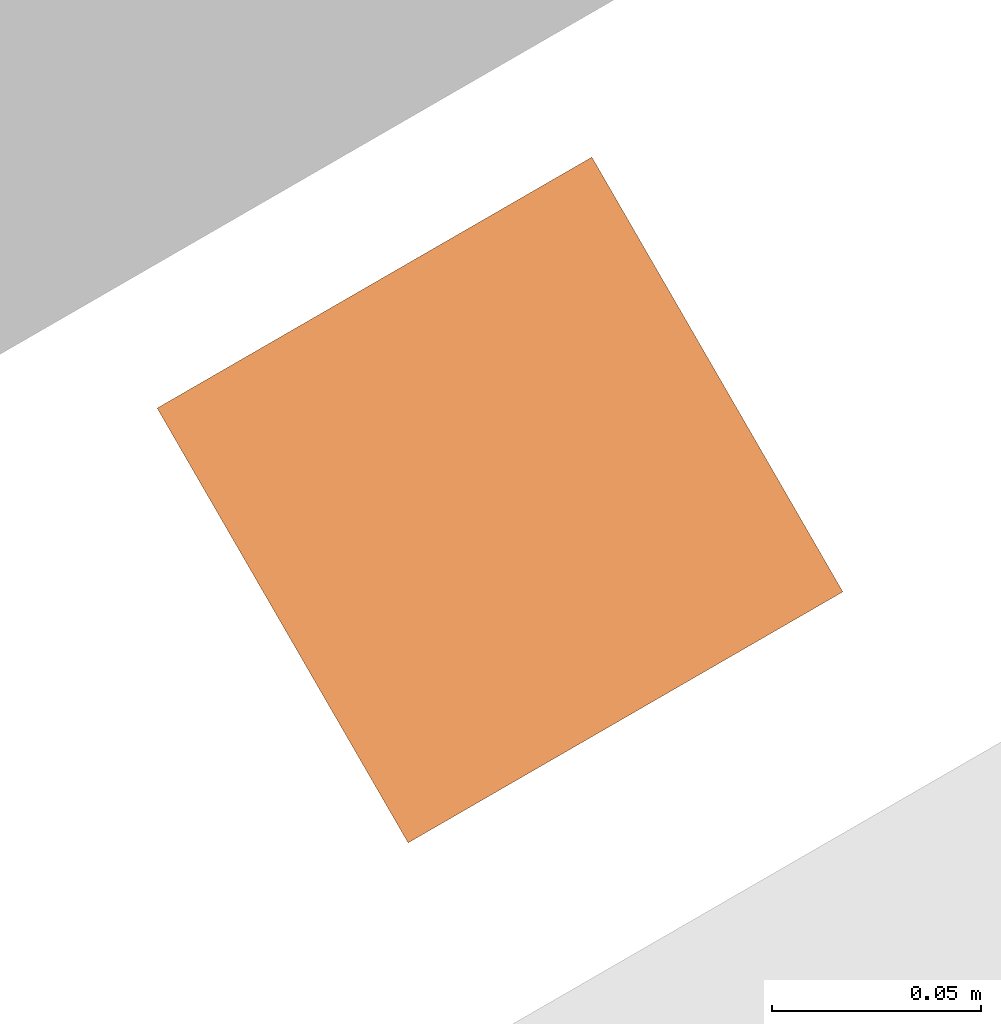
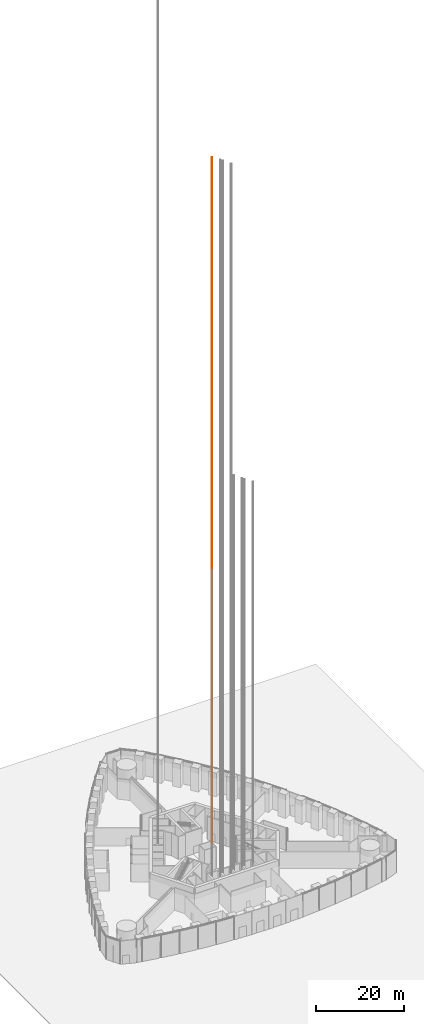
# One storey, part 42 of 43: 1 proxy.
"""IFC4 building model written with IfcOpenShell, lengths in metres."""

from ifc_helpers import new_model, si_unit, direction, frame, origin, origin_2d, place, context, subcontext, project, spatial, rectangle, extrude, element, save


model = new_model("IFC4")

# Units and contexts
model_context = context("Model", 3, precision=1e-05, world=origin(), true_north=direction((0.0, 1.0)))
body_context = subcontext(model_context, "Body", "Model", "MODEL_VIEW")
ifc_project = project(units=[si_unit("LENGTHUNIT", "METRE"), si_unit("AREAUNIT", "SQUARE_METRE"), si_unit("VOLUMEUNIT", "CUBIC_METRE"), si_unit("PLANEANGLEUNIT", "RADIAN"), si_unit("MASSUNIT", "GRAM", prefix="KILO")], contexts=[model_context])

# Site, building, storey
site_placement = place(None, origin())
site = spatial("IfcSite", under=ifc_project, at=site_placement, CompositionType="ELEMENT")
building_placement = place(site_placement, origin())
building = spatial("IfcBuilding", under=site, at=building_placement, Name="Trefoil Bronze Tower", CompositionType="ELEMENT")
storey_placement = place(building_placement, origin())
storey = spatial("IfcBuildingStorey", under=building, at=storey_placement, Name="L00", CompositionType="ELEMENT", Elevation=0.0)

# Proxy
proxy_placement = place(storey_placement, frame((7.1044921875, 10.31982421875, -1.60009765625), z_axis=(0.0, 0.0, 1.0), x_axis=(-0.5, 0.866025403784, 0.0)))
element("IfcBuildingElementProxy", 1, at=proxy_placement, inside=storey, Name="Lift S4 guide rail 2", ObjectType="LIFT GUIDE RAIL", PredefinedType="USERDEFINED", context=body_context, shape_type="SweptSolid", body=[
    extrude(rectangle(XDim=0.1201171875, YDim=0.1201171875, at=origin_2d()), origin(), (0.0, 0.0, 1.0), 190.75),
])

save(model, "model.ifc")
